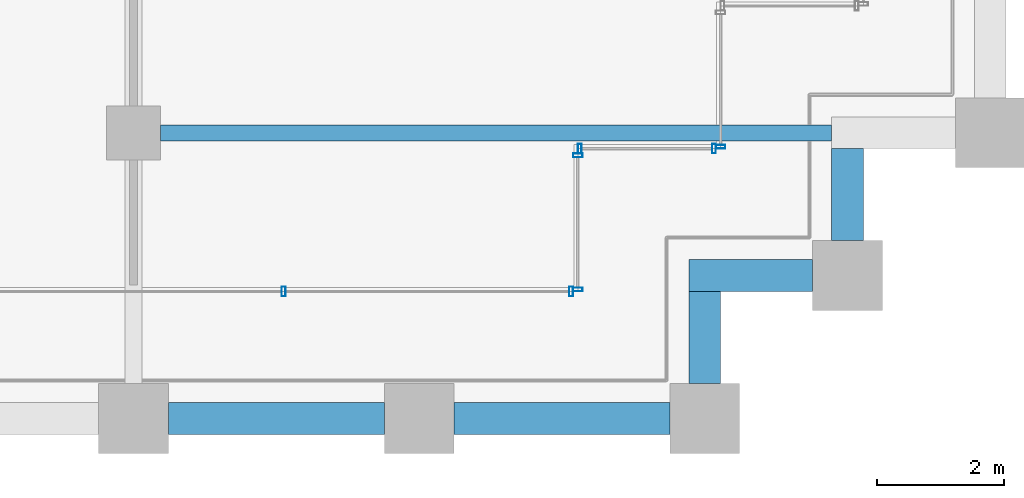
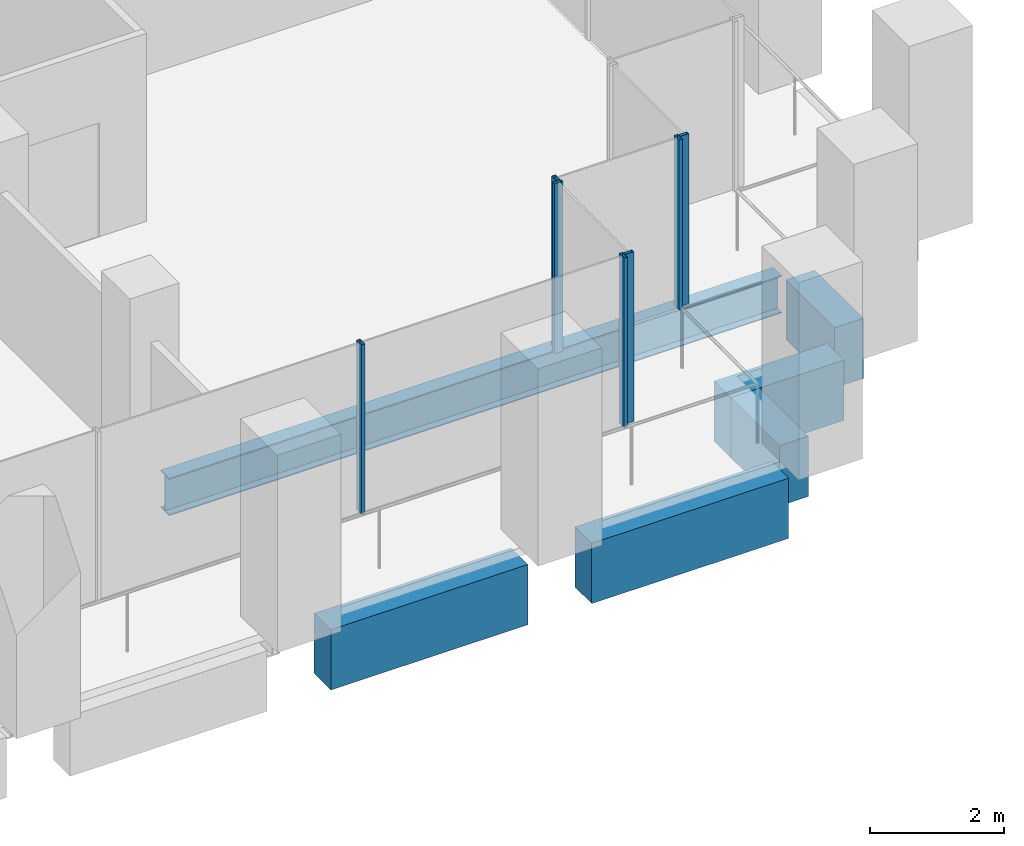
# One storey, part 15 of 56: 7 members, 6 beams, 4 elements without a shape of their own.
"""IFC4 building model written with IfcOpenShell, lengths in metres."""

from ifc_helpers import new_model, si_unit, direction, frame, origin, origin_2d, place, context, subcontext, project, spatial, rectangle, hollow_rectangle, i_section, extrude, material, material_profile, profile_set, type_object, element, aggregate, save


model = new_model("IFC4")

# Units and contexts
model_context = context("Model", 3, precision=1e-05, world=origin(), true_north=direction((0.0, 1.0)))
body_context = subcontext(model_context, "Body", "Model", "MODEL_VIEW")
ifc_project = project(units=[si_unit("LENGTHUNIT", "METRE"), si_unit("AREAUNIT", "SQUARE_METRE"), si_unit("VOLUMEUNIT", "CUBIC_METRE"), si_unit("PLANEANGLEUNIT", "RADIAN"), si_unit("MASSUNIT", "GRAM", prefix="KILO")], contexts=[model_context])

# Site, building, storey
site_placement = place(None, origin())
site = spatial("IfcSite", under=ifc_project, at=site_placement, CompositionType="ELEMENT")
building_placement = place(site_placement, origin())
building = spatial("IfcBuilding", under=site, at=building_placement, Name="Altepetl Exchange Towers", CompositionType="ELEMENT")
storey_placement = place(building_placement, frame((0.0, 0.0, 79.800048828125)))
storey = spatial("IfcBuildingStorey", under=building, at=storey_placement, Name="L19", CompositionType="ELEMENT", Elevation=79.800048828125)

# Beam
ifc_material_1 = material(Name="Steel S355", Category="steel")
ifc_material_profile_1 = material_profile(ifc_material_1, i_section(OverallWidth=0.25390625, OverallDepth=0.68408203125, WebThickness=0.012451171875, FlangeThickness=0.018798828125, at=origin_2d()), Name="W27X94")
ifc_profile_set_1 = profile_set([ifc_material_profile_1], Name="Steel S355")
beam_type_1 = type_object("IfcBeamType", Name="Floor beam W27X94", PredefinedType="BEAM", material=ifc_profile_set_1)
beam_1_placement = place(storey_placement, frame((58.925048828125, 31.5, -0.491943359375), z_axis=(1.0, 0.0, 0.0), x_axis=(0.0, 1.0, 0.0)))
element("IfcBeam", 1, at=beam_1_placement, inside=storey, type_object=beam_type_1, Name="bm:A:L19:006", PredefinedType="BEAM", context=body_context, shape_type="SweptSolid", body=[
    extrude(i_section(OverallWidth=0.25390625, OverallDepth=0.68408203125, WebThickness=0.012451171875, FlangeThickness=0.018798828125, at=origin_2d()), origin(), (0.0, 0.0, 1.0), 10.574951171875),
])

# Curtain wall, members
ifc_material_2 = material(Name="Aluminium 6063-T6 glazing", Category="aluminium")
curtain_wall_type = type_object("IfcCurtainWallType", Name="Loggia glazing system", PredefinedType="NOTDEFINED", material=ifc_material_2)
curtain_wall_1_placement = place(storey_placement, origin())
curtain_wall_1 = element("IfcCurtainWall", 2, at=curtain_wall_1_placement, inside=storey, type_object=curtain_wall_type, Name="CW1 run", PredefinedType="NOTDEFINED")
ifc_material_3 = material(Name="Aluminium 6063-T6", Category="aluminium")
ifc_material_profile_2 = material_profile(ifc_material_3, hollow_rectangle(XDim=0.06005859375, YDim=0.14990234375, WallThickness=0.0029296875, at=origin_2d()), Name="Mullion 60x150 aluminium")
ifc_profile_set_2 = profile_set([ifc_material_profile_2], Name="Aluminium 6063-T6")
member_type = type_object("IfcMemberType", Name="Mullion 60x150 aluminium", PredefinedType="MULLION", material=ifc_profile_set_2)
member_1_placement = place(storey_placement, frame((60.8642578125, 29.0, 0.0)))
member_1 = element("IfcMember", 3, at=member_1_placement, type_object=member_type, Name="MU1 mullion", PredefinedType="MULLION", context=body_context, shape_type="SweptSolid", body=[
    extrude(hollow_rectangle(XDim=0.06005859375, YDim=0.14990234375, WallThickness=0.0029296875, at=origin_2d()), origin(), (0.0, 0.0, 1.0), 3.099853515625),
])
member_2_placement = place(storey_placement, frame((65.39501953125, 29.0, 0.0)))
member_2 = element("IfcMember", 4, at=member_2_placement, type_object=member_type, Name="MU1 mullion", PredefinedType="MULLION", context=body_context, shape_type="SweptSolid", body=[
    extrude(hollow_rectangle(XDim=0.06005859375, YDim=0.14990234375, WallThickness=0.0029296875, at=origin_2d()), origin(), (0.0, 0.0, 1.0), 3.099853515625),
])
aggregate(curtain_wall_1, [member_1, member_2])

curtain_wall_2_placement = place(storey_placement, origin())
curtain_wall_2 = element("IfcCurtainWall", 5, at=curtain_wall_2_placement, inside=storey, type_object=curtain_wall_type, Name="CW1 run", PredefinedType="NOTDEFINED")
member_3_placement = place(storey_placement, frame((65.5, 29.030029296875, 0.0), z_axis=(0.0, 0.0, 1.0), x_axis=(0.0, 1.0, 0.0)))
member_3 = element("IfcMember", 6, at=member_3_placement, type_object=member_type, Name="MU1 mullion", PredefinedType="MULLION", context=body_context, shape_type="SweptSolid", body=[
    extrude(hollow_rectangle(XDim=0.06005859375, YDim=0.14990234375, WallThickness=0.0029296875, at=origin_2d()), origin(), (0.0, 0.0, 1.0), 3.099853515625),
])
member_4_placement = place(storey_placement, frame((65.5, 31.14501953125, 0.0), z_axis=(0.0, 0.0, 1.0), x_axis=(0.0, 1.0, 0.0)))
member_4 = element("IfcMember", 7, at=member_4_placement, type_object=member_type, Name="MU1 mullion", PredefinedType="MULLION", context=body_context, shape_type="SweptSolid", body=[
    extrude(hollow_rectangle(XDim=0.06005859375, YDim=0.14990234375, WallThickness=0.0029296875, at=origin_2d()), origin(), (0.0, 0.0, 1.0), 3.099853515625),
])
aggregate(curtain_wall_2, [member_3, member_4])

curtain_wall_3_placement = place(storey_placement, origin())
curtain_wall_3 = element("IfcCurtainWall", 8, at=curtain_wall_3_placement, inside=storey, type_object=curtain_wall_type, Name="CW1 run", PredefinedType="NOTDEFINED")
member_5_placement = place(storey_placement, frame((65.530029296875, 31.25, 0.0)))
member_5 = element("IfcMember", 9, at=member_5_placement, type_object=member_type, Name="MU1 mullion", PredefinedType="MULLION", context=body_context, shape_type="SweptSolid", body=[
    extrude(hollow_rectangle(XDim=0.06005859375, YDim=0.14990234375, WallThickness=0.0029296875, at=origin_2d()), origin(), (0.0, 0.0, 1.0), 3.099853515625),
])
member_6_placement = place(storey_placement, frame((67.64501953125, 31.25, 0.0)))
member_6 = element("IfcMember", 10, at=member_6_placement, type_object=member_type, Name="MU1 mullion", PredefinedType="MULLION", context=body_context, shape_type="SweptSolid", body=[
    extrude(hollow_rectangle(XDim=0.06005859375, YDim=0.14990234375, WallThickness=0.0029296875, at=origin_2d()), origin(), (0.0, 0.0, 1.0), 3.099853515625),
])
aggregate(curtain_wall_3, [member_5, member_6])

# Curtain wall, member
curtain_wall_4_placement = place(storey_placement, origin())
curtain_wall_4 = element("IfcCurtainWall", 11, at=curtain_wall_4_placement, inside=storey, type_object=curtain_wall_type, Name="CW1 run", PredefinedType="NOTDEFINED")
member_7_placement = place(storey_placement, frame((67.75, 31.280029296875, 0.0), z_axis=(0.0, 0.0, 1.0), x_axis=(0.0, 1.0, 0.0)))
member_7 = element("IfcMember", 12, at=member_7_placement, type_object=member_type, Name="MU1 mullion", PredefinedType="MULLION", context=body_context, shape_type="SweptSolid", body=[
    extrude(hollow_rectangle(XDim=0.06005859375, YDim=0.14990234375, WallThickness=0.0029296875, at=origin_2d()), origin(), (0.0, 0.0, 1.0), 3.099853515625),
])
aggregate(curtain_wall_4, [member_7])

# Beams
ifc_material_4 = material(Name="Concrete C50/60 precast with cantera amarilla facing", Category="concrete")
ifc_material_profile_3 = material_profile(ifc_material_4, rectangle(XDim=0.5, YDim=1.10009765625, at=origin_2d()), Name="500 x 1100")
ifc_profile_set_3 = profile_set([ifc_material_profile_3], Name="Concrete C50/60 precast with cantera amarilla facing")
beam_type_2 = type_object("IfcBeamType", Name="Spandrel beam 500x1100 cantera amarilla", PredefinedType="SPANDREL", material=ifc_profile_set_3)
for number, where, z_axis, x_axis, name in (
    (13, (59.050048828125, 27.0, -0.699951171875), (1.0, 0.0, 0.0), (0.0, 1.0, 0.0), "sp:A:L19:006"),
    (14, (63.550048828125, 27.0, -0.699951171875), (1.0, 0.0, 0.0), (0.0, 1.0, 0.0), "sp:A:L19:007"),
):
    element("IfcBeam", number, at=place(storey_placement, frame(where, z_axis=z_axis, x_axis=x_axis)), inside=storey, type_object=beam_type_2, Name=name, PredefinedType="SPANDREL", context=body_context, shape_type="SweptSolid", body=[
        extrude(rectangle(XDim=0.5, YDim=1.10009765625, at=origin_2d()), origin(), (0.0, 0.0, 1.0), 3.39990234375),
    ])
beam_2_placement = place(storey_placement, frame((67.5, 27.550048828125, -0.699951171875), z_axis=(0.0, 1.0, 0.0), x_axis=(-1.0, 0.0, 0.0)))
element("IfcBeam", 15, at=beam_2_placement, inside=storey, type_object=beam_type_2, Name="sp:A:L19:008", PredefinedType="SPANDREL", context=body_context, shape_type="SweptSolid", body=[
    extrude(rectangle(XDim=0.5, YDim=1.10009765625, at=origin_2d()), origin(), (0.0, 0.0, 1.0), 1.449951171875),
])
beam_3_placement = place(storey_placement, frame((67.25, 29.25, -0.699951171875), z_axis=(1.0, 0.0, 0.0), x_axis=(0.0, 1.0, 0.0)))
element("IfcBeam", 16, at=beam_3_placement, inside=storey, type_object=beam_type_2, Name="sp:A:L19:009", PredefinedType="SPANDREL", context=body_context, shape_type="SweptSolid", body=[
    extrude(rectangle(XDim=0.5, YDim=1.10009765625, at=origin_2d()), origin(), (0.0, 0.0, 1.0), 1.949951171875),
])
beam_4_placement = place(storey_placement, frame((69.75, 29.800048828125, -0.699951171875), z_axis=(0.0, 1.0, 0.0), x_axis=(-1.0, 0.0, 0.0)))
element("IfcBeam", 17, at=beam_4_placement, inside=storey, type_object=beam_type_2, Name="sp:A:L19:010", PredefinedType="SPANDREL", context=body_context, shape_type="SweptSolid", body=[
    extrude(rectangle(XDim=0.5, YDim=1.10009765625, at=origin_2d()), origin(), (0.0, 0.0, 1.0), 1.449951171875),
])

save(model, "model.ifc")
